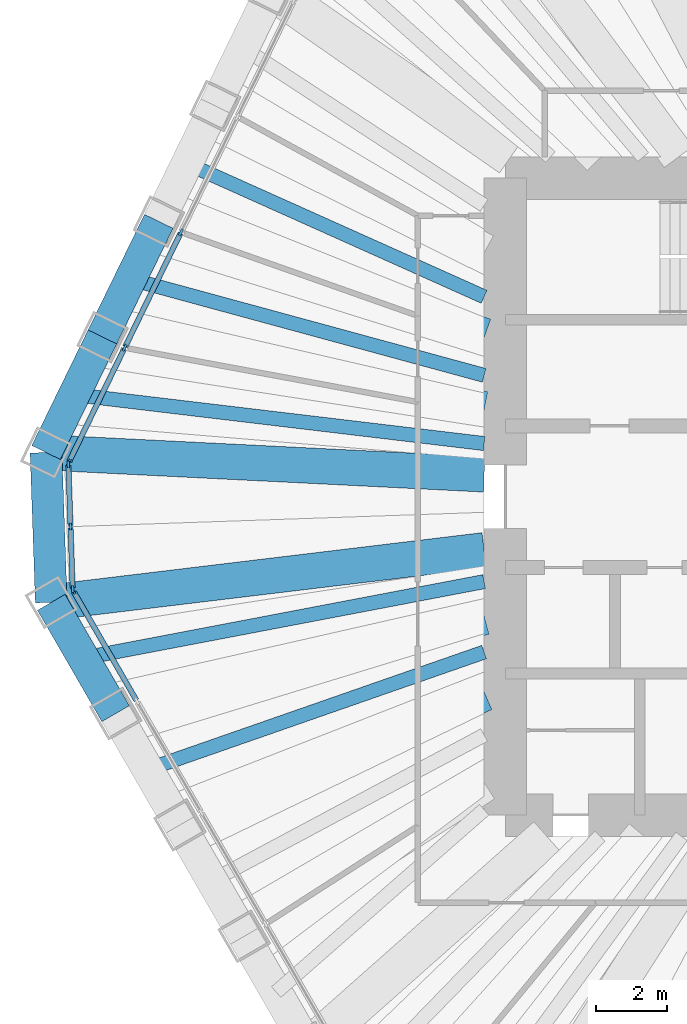
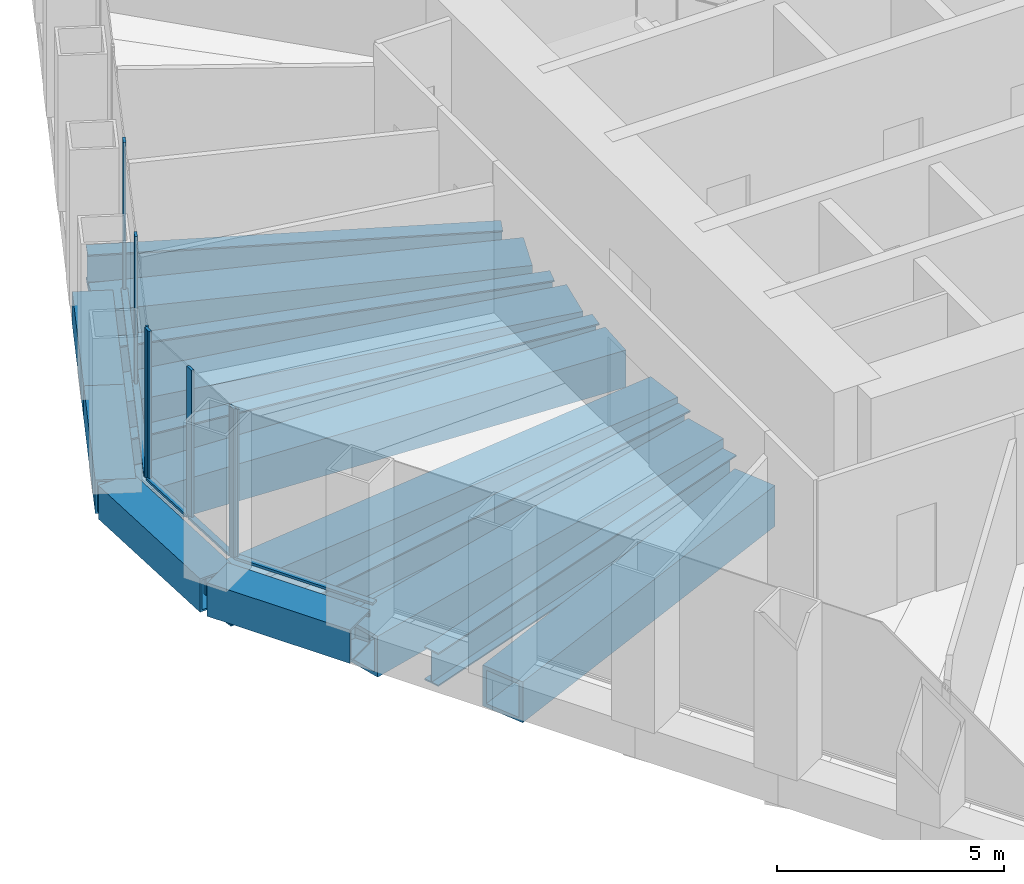
# One storey, part 3 of 12: 15 beams, 12 members, 3 elements without a shape of their own.
"""IFC4 building model written with IfcOpenShell, lengths in metres."""

from ifc_helpers import new_model, si_unit, direction, frame, origin, origin_2d, place, context, subcontext, project, spatial, rectangle, hollow_rectangle, i_section, extrude, material, material_profile, profile_set, type_object, element, aggregate, save


model = new_model("IFC4")

# Units and contexts
model_context = context("Model", 3, precision=1e-05, world=origin(), true_north=direction((0.0, 1.0)))
body_context = subcontext(model_context, "Body", "Model", "MODEL_VIEW")
ifc_project = project(units=[si_unit("LENGTHUNIT", "METRE"), si_unit("AREAUNIT", "SQUARE_METRE"), si_unit("VOLUMEUNIT", "CUBIC_METRE"), si_unit("PLANEANGLEUNIT", "RADIAN"), si_unit("MASSUNIT", "GRAM", prefix="KILO")], contexts=[model_context])

# Site, building, storey
site_placement = place(None, origin())
site = spatial("IfcSite", under=ifc_project, at=site_placement, CompositionType="ELEMENT")
building_placement = place(site_placement, origin())
building = spatial("IfcBuilding", under=site, at=building_placement, Name="Qingtian Harvest Tower", CompositionType="ELEMENT")
storey_placement = place(building_placement, frame((0.0, 0.0, 184.60009765625)))
storey = spatial("IfcBuildingStorey", under=building, at=storey_placement, Name="L39", CompositionType="ELEMENT", Elevation=184.60009765625)

# Beams
ifc_material_1 = material(Name="Steel SN490B", Category="steel")
ifc_material_profile_1 = material_profile(ifc_material_1, i_section(OverallWidth=0.39990234375, OverallDepth=0.89990234375, WebThickness=0.01904296875, FlangeThickness=0.035888671875, at=origin_2d()), Name="H900x400x19x36")
ifc_profile_set_1 = profile_set([ifc_material_profile_1], Name="Steel SN490B")
beam_type_1 = type_object("IfcBeamType", Name="Floor joist J4 H900x400x19x36", PredefinedType="JOIST", material=ifc_profile_set_1)
beam_1_placement = place(storey_placement, frame((-22.108154296875, -7.707763671875, -0.6201171875), z_axis=(0.944256456951, 0.329210788868, 0.0), x_axis=(-0.329210788868, 0.944256456951, 0.0)))
element("IfcBeam", 1, at=beam_1_placement, inside=storey, type_object=beam_type_1, Name="Floor joist J4 SW4", PredefinedType="JOIST", context=body_context, shape_type="SweptSolid", body=[
    extrude(i_section(OverallWidth=0.39990234375, OverallDepth=0.89990234375, WebThickness=0.01904296875, FlangeThickness=0.035888671875, at=origin_2d()), origin(), (0.0, 0.0, 1.0), 10.0693359375),
])
beam_2_placement = place(storey_placement, frame((-23.9248046875, -4.56103515625, -0.6201171875), z_axis=(0.982309082743, 0.187266830912, 0.0), x_axis=(-0.187266830912, 0.982309082743, 0.0)))
element("IfcBeam", 2, at=beam_2_placement, inside=storey, type_object=beam_type_1, Name="Floor joist J4 SW5", PredefinedType="JOIST", context=body_context, shape_type="SweptSolid", body=[
    extrude(i_section(OverallWidth=0.39990234375, OverallDepth=0.89990234375, WebThickness=0.01904296875, FlangeThickness=0.035888671875, at=origin_2d()), origin(), (0.0, 0.0, 1.0), 11.528564453125),
])
beam_3_placement = place(storey_placement, frame((-24.184814453125, 2.880859375, -0.6201171875), z_axis=(0.992980727423, -0.11827626544, 0.0), x_axis=(0.11827626544, 0.992980727423, 0.0)))
element("IfcBeam", 3, at=beam_3_placement, inside=storey, type_object=beam_type_1, Name="Floor joist J4 NW0", PredefinedType="JOIST", context=body_context, shape_type="SweptSolid", body=[
    extrude(i_section(OverallWidth=0.39990234375, OverallDepth=0.89990234375, WebThickness=0.01904296875, FlangeThickness=0.035888671875, at=origin_2d()), origin(), (0.0, 0.0, 1.0), 11.66650390625),
])
beam_4_placement = place(storey_placement, frame((-22.591796875, 6.146728515625, -0.6201171875), z_axis=(0.964923062728, -0.26253282274, 0.0), x_axis=(0.26253282274, 0.964923062728, 0.0)))
element("IfcBeam", 4, at=beam_4_placement, inside=storey, type_object=beam_type_1, Name="Floor joist J4 NW1", PredefinedType="JOIST", context=body_context, shape_type="SweptSolid", body=[
    extrude(i_section(OverallWidth=0.39990234375, OverallDepth=0.89990234375, WebThickness=0.01904296875, FlangeThickness=0.035888671875, at=origin_2d()), origin(), (0.0, 0.0, 1.0), 10.35498046875),
])
beam_5_placement = place(storey_placement, frame((-20.9990234375, 9.41259765625, -0.6201171875), z_axis=(0.912515128421, -0.409042956671, 0.0), x_axis=(0.409042956671, 0.912515128421, 0.0)))
element("IfcBeam", 5, at=beam_5_placement, inside=storey, type_object=beam_type_1, Name="Floor joist J4 NW2", PredefinedType="JOIST", context=body_context, shape_type="SweptSolid", body=[
    extrude(i_section(OverallWidth=0.39990234375, OverallDepth=0.89990234375, WebThickness=0.01904296875, FlangeThickness=0.035888671875, at=origin_2d()), origin(), (0.0, 0.0, 1.0), 9.2041015625),
])

# Curtain wall, member
ifc_material_2 = material(Name="Bronze-anodised aluminium curtain wall", Category="aluminium")
curtain_wall_type = type_object("IfcCurtainWallType", Name="Curtain wall CW4 office", PredefinedType="USERDEFINED", material=ifc_material_2)
curtain_wall_1_placement = place(storey_placement, origin())
curtain_wall_1 = element("IfcCurtainWall", 6, at=curtain_wall_1_placement, inside=storey, type_object=curtain_wall_type, Name="Curtain wall CW4 L39 SW0-5", ObjectType="RECESSED CURTAIN WALL", PredefinedType="USERDEFINED")
ifc_material_3 = material(Name="Bronze-anodised aluminium mullion", Category="aluminium")
ifc_material_profile_2 = material_profile(ifc_material_3, rectangle(XDim=0.06494140625, YDim=0.199951171875, at=origin_2d()), Name="AL 65x200")
ifc_profile_set_2 = profile_set([ifc_material_profile_2], Name="Bronze-anodised aluminium mullion")
member_type_1 = type_object("IfcMemberType", Name="Mullion CWM 65x200", PredefinedType="MULLION", material=ifc_profile_set_2)
member_1_placement = place(storey_placement, frame((-24.210693359375, -2.665771484375, 0.0), z_axis=(0.0, 0.0, 1.0), x_axis=(-0.866025403784, -0.5, 0.0)))
member_1 = element("IfcMember", 7, at=member_1_placement, type_object=member_type_1, Name="CW4 mullion 7", PredefinedType="MULLION", context=body_context, shape_type="SweptSolid", body=[
    extrude(rectangle(XDim=0.06494140625, YDim=0.199951171875, at=origin_2d()), origin(), (0.0, 0.0, 1.0), 4.02978515625),
])

# Curtain wall, members
curtain_wall_2_placement = place(storey_placement, origin())
curtain_wall_2 = element("IfcCurtainWall", 8, at=curtain_wall_2_placement, inside=storey, type_object=curtain_wall_type, Name="Curtain wall CW4 L39 SWC", ObjectType="RECESSED CURTAIN WALL", PredefinedType="USERDEFINED")
member_2_placement = place(storey_placement, frame((-24.228271484375, -2.60498046875, 0.0), z_axis=(0.0, 0.0, 1.0), x_axis=(-0.999390827019, -0.034899496703, 0.0)))
member_2 = element("IfcMember", 9, at=member_2_placement, type_object=member_type_1, Name="CW4 mullion 1", PredefinedType="MULLION", context=body_context, shape_type="SweptSolid", body=[
    extrude(rectangle(XDim=0.06494140625, YDim=0.199951171875, at=origin_2d()), origin(), (0.0, 0.0, 1.0), 4.02978515625),
])
member_3_placement = place(storey_placement, frame((-24.28955078125, -0.84814453125, 0.0), z_axis=(0.0, 0.0, 1.0), x_axis=(-0.999390827019, -0.034899496703, 0.0)))
member_3 = element("IfcMember", 10, at=member_3_placement, type_object=member_type_1, Name="CW4 mullion 2", PredefinedType="MULLION", context=body_context, shape_type="SweptSolid", body=[
    extrude(rectangle(XDim=0.06494140625, YDim=0.199951171875, at=origin_2d()), origin(), (0.0, 0.0, 1.0), 4.02978515625),
])
member_4_placement = place(storey_placement, frame((-24.350830078125, 0.90869140625, 0.0), z_axis=(0.0, 0.0, 1.0), x_axis=(-0.999390827019, -0.034899496703, 0.0)))
member_4 = element("IfcMember", 11, at=member_4_placement, type_object=member_type_1, Name="CW4 mullion 3", PredefinedType="MULLION", context=body_context, shape_type="SweptSolid", body=[
    extrude(rectangle(XDim=0.06494140625, YDim=0.199951171875, at=origin_2d()), origin(), (0.0, 0.0, 1.0), 4.02978515625),
])

curtain_wall_3_placement = place(storey_placement, origin())
curtain_wall_3 = element("IfcCurtainWall", 12, at=curtain_wall_3_placement, inside=storey, type_object=curtain_wall_type, Name="Curtain wall CW4 L39 NW0-5", ObjectType="RECESSED CURTAIN WALL", PredefinedType="USERDEFINED")
member_5_placement = place(storey_placement, frame((-24.337646484375, 0.970458984375, 0.0), z_axis=(0.0, 0.0, 1.0), x_axis=(-0.898794046299, 0.438371146789, 0.0)))
member_5 = element("IfcMember", 13, at=member_5_placement, type_object=member_type_1, Name="CW4 mullion 1", PredefinedType="MULLION", context=body_context, shape_type="SweptSolid", body=[
    extrude(rectangle(XDim=0.06494140625, YDim=0.199951171875, at=origin_2d()), origin(), (0.0, 0.0, 1.0), 4.02978515625),
])
member_6_placement = place(storey_placement, frame((-22.759033203125, 4.20703125, 0.0), z_axis=(0.0, 0.0, 1.0), x_axis=(-0.898794046299, 0.438371146789, 0.0)))
member_6 = element("IfcMember", 14, at=member_6_placement, type_object=member_type_1, Name="CW4 mullion 2", PredefinedType="MULLION", context=body_context, shape_type="SweptSolid", body=[
    extrude(rectangle(XDim=0.06494140625, YDim=0.199951171875, at=origin_2d()), origin(), (0.0, 0.0, 1.0), 4.02978515625),
])
member_7_placement = place(storey_placement, frame((-21.166259765625, 7.47265625, 0.0), z_axis=(0.0, 0.0, 1.0), x_axis=(-0.898794046299, 0.438371146789, 0.0)))
member_7 = element("IfcMember", 15, at=member_7_placement, type_object=member_type_1, Name="CW4 mullion 3", PredefinedType="MULLION", context=body_context, shape_type="SweptSolid", body=[
    extrude(rectangle(XDim=0.06494140625, YDim=0.199951171875, at=origin_2d()), origin(), (0.0, 0.0, 1.0), 4.02978515625),
])

# Beams
ifc_material_4 = material(Name="Steel SM570MC", Category="steel")
ifc_material_profile_3 = material_profile(ifc_material_4, hollow_rectangle(XDim=1.0, YDim=1.0, WallThickness=0.080078125, at=origin_2d()), Name="BOX1000x1000x80")
ifc_profile_set_3 = profile_set([ifc_material_profile_3], Name="Steel SM570MC")
beam_type_2 = type_object("IfcBeamType", Name="Transfer corner beam FB11 BOX1000x1000x80", PredefinedType="BEAM", material=ifc_profile_set_3)
beam_6_placement = place(storey_placement, frame((-24.833251953125, -2.987548828125, -0.670166015625), z_axis=(0.992841259631, 0.119441337798, 0.0), x_axis=(-0.119441337798, 0.992841259631, 0.0)))
element("IfcBeam", 16, at=beam_6_placement, inside=storey, type_object=beam_type_2, Name="Floor beam FB11 SW6", PredefinedType="BEAM", context=body_context, shape_type="SweptSolid", body=[
    extrude(hollow_rectangle(XDim=1.0, YDim=1.0, WallThickness=0.080078125, at=origin_2d()), origin(), (0.0, 0.0, 1.0), 12.3212890625),
])
beam_7_placement = place(storey_placement, frame((-24.981201171875, 1.248046875, -0.670166015625), z_axis=(0.998753959075, -0.049905202459, 0.0), x_axis=(0.049905202459, 0.998753959075, 0.0)))
element("IfcBeam", 17, at=beam_7_placement, inside=storey, type_object=beam_type_2, Name="Floor beam FB11 NW0", PredefinedType="BEAM", context=body_context, shape_type="SweptSolid", body=[
    extrude(hollow_rectangle(XDim=1.0, YDim=1.0, WallThickness=0.080078125, at=origin_2d()), origin(), (0.0, 0.0, 1.0), 12.396484375),
])
ifc_material_5 = material(Name="Steel SM570MC", Category="steel")
ifc_material_profile_4 = material_profile(ifc_material_5, hollow_rectangle(XDim=1.10009765625, YDim=1.10009765625, WallThickness=0.10009765625, at=origin_2d()), Name="BOX1100x1100x100")
ifc_profile_set_4 = profile_set([ifc_material_profile_4], Name="Steel SM570MC")
beam_type_3 = type_object("IfcBeamType", Name="Transfer floor beam FB9 BOX1100x1100x100", PredefinedType="BEAM", material=ifc_profile_set_4)
beam_8_placement = place(storey_placement, frame((-21.19970703125, -9.281005859375, -0.72021484375), z_axis=(0.916057031544, 0.401048020765, 0.0), x_axis=(-0.401048020765, 0.916057031544, 0.0)))
element("IfcBeam", 18, at=beam_8_placement, inside=storey, type_object=beam_type_3, Name="Floor beam FB9 SW4", PredefinedType="BEAM", context=body_context, shape_type="SweptSolid", body=[
    extrude(hollow_rectangle(XDim=1.10009765625, YDim=1.10009765625, WallThickness=0.10009765625, at=origin_2d()), origin(), (0.0, 0.0, 1.0), 9.3876953125),
])
beam_9_placement = place(storey_placement, frame((-23.016357421875, -6.13427734375, -0.72021484375), z_axis=(0.966270640629, 0.257528734433, 0.0), x_axis=(-0.257528734433, 0.966270640629, 0.0)))
element("IfcBeam", 19, at=beam_9_placement, inside=storey, type_object=beam_type_3, Name="Floor beam FB9 SW5", PredefinedType="BEAM", context=body_context, shape_type="SweptSolid", body=[
    extrude(hollow_rectangle(XDim=1.10009765625, YDim=1.10009765625, WallThickness=0.10009765625, at=origin_2d()), origin(), (0.0, 0.0, 1.0), 10.77978515625),
])
beam_10_placement = place(storey_placement, frame((-23.388427734375, 4.513916015625, -0.72021484375), z_axis=(0.981878004162, -0.189514075845, 0.0), x_axis=(0.189514075845, 0.981878004162, 0.0)))
element("IfcBeam", 20, at=beam_10_placement, inside=storey, type_object=beam_type_3, Name="Floor beam FB9 NW1", PredefinedType="BEAM", context=body_context, shape_type="SweptSolid", body=[
    extrude(hollow_rectangle(XDim=1.10009765625, YDim=1.10009765625, WallThickness=0.10009765625, at=origin_2d()), origin(), (0.0, 0.0, 1.0), 10.987548828125),
])
beam_11_placement = place(storey_placement, frame((-21.79541015625, 7.779541015625, -0.72021484375), z_axis=(0.941800733255, -0.336171650857, 0.0), x_axis=(0.336171650857, 0.941800733255, 0.0)))
element("IfcBeam", 21, at=beam_11_placement, inside=storey, type_object=beam_type_3, Name="Floor beam FB9 NW2", PredefinedType="BEAM", context=body_context, shape_type="SweptSolid", body=[
    extrude(hollow_rectangle(XDim=1.10009765625, YDim=1.10009765625, WallThickness=0.10009765625, at=origin_2d()), origin(), (0.0, 0.0, 1.0), 9.763427734375),
])
ifc_material_6 = material(Name="Steel SM570MC", Category="steel")
ifc_material_profile_5 = material_profile(ifc_material_6, hollow_rectangle(XDim=0.89990234375, YDim=0.89990234375, WallThickness=0.050048828125, at=origin_2d()), Name="BOX900x900x50")
ifc_profile_set_5 = profile_set([ifc_material_profile_5], Name="Steel SM570MC")
beam_type_4 = type_object("IfcBeamType", Name="Transition spandrel SB6 BOX900x900x50", PredefinedType="SPANDREL", material=ifc_profile_set_5)
beam_12_placement = place(storey_placement, frame((-23.016357421875, -6.13427734375, -0.4501953125), z_axis=(-0.500026827678, 0.866009914263, 0.0), x_axis=(-0.866009914263, -0.500026827678, 0.0)))
element("IfcBeam", 22, at=beam_12_placement, inside=storey, type_object=beam_type_4, Name="Spandrel SB6 SW5", PredefinedType="SPANDREL", context=body_context, shape_type="SweptSolid", body=[
    extrude(hollow_rectangle(XDim=0.89990234375, YDim=0.89990234375, WallThickness=0.050048828125, at=origin_2d()), origin(), (0.0, 0.0, 1.0), 3.633544921875),
])
beam_13_placement = place(storey_placement, frame((-24.833251953125, -2.987548828125, -0.4501953125), z_axis=(-0.034908677553, 0.999390506375, 0.0), x_axis=(-0.999390506375, -0.034908677553, 0.0)))
element("IfcBeam", 23, at=beam_13_placement, inside=storey, type_object=beam_type_4, Name="Spandrel SB6 SWC", PredefinedType="SPANDREL", context=body_context, shape_type="SweptSolid", body=[
    extrude(hollow_rectangle(XDim=0.89990234375, YDim=0.89990234375, WallThickness=0.050048828125, at=origin_2d()), origin(), (0.0, 0.0, 1.0), 4.23828125),
])
for number, where, z_axis, x_axis, name in (
    (24, (-24.981201171875, 1.248046875, -0.4501953125), (0.438349498419, 0.898804604592, 0.0), (-0.898804604592, 0.438349498419, 0.0), "Spandrel SB6 NW0"),
    (25, (-23.388427734375, 4.513916015625, -0.4501953125), (0.438430251153, 0.898765216769, 0.0), (-0.898765216769, 0.438430251153, 0.0), "Spandrel SB6 NW1"),
):
    element("IfcBeam", number, at=place(storey_placement, frame(where, z_axis=z_axis, x_axis=x_axis)), inside=storey, type_object=beam_type_4, Name=name, PredefinedType="SPANDREL", context=body_context, shape_type="SweptSolid", body=[
        extrude(hollow_rectangle(XDim=0.89990234375, YDim=0.89990234375, WallThickness=0.050048828125, at=origin_2d()), origin(), (0.0, 0.0, 1.0), 3.633544921875),
    ])

# Member
ifc_material_7 = material(Name="Bronze-anodised aluminium transom", Category="aluminium")
ifc_material_profile_6 = material_profile(ifc_material_7, rectangle(XDim=0.14990234375, YDim=0.06494140625, at=origin_2d()), Name="AL 65x150")
ifc_profile_set_6 = profile_set([ifc_material_profile_6], Name="Bronze-anodised aluminium transom")
member_type_2 = type_object("IfcMemberType", Name="Transom CWT 65x150", PredefinedType="USERDEFINED", material=ifc_profile_set_6)
member_8_placement = place(storey_placement, frame((-22.426513671875, -5.756103515625, 0.032470703125), z_axis=(-0.500015305566, 0.866016566931, 0.0), x_axis=(-0.866016566931, -0.500015305566, 0.0)))
member_8 = element("IfcMember", 26, at=member_8_placement, type_object=member_type_2, Name="CW4 transom 6.1", ObjectType="TRANSOM", PredefinedType="USERDEFINED", context=body_context, shape_type="SweptSolid", body=[
    extrude(rectangle(XDim=0.14990234375, YDim=0.06494140625, at=origin_2d()), origin(), (0.0, 0.0, 1.0), 3.5361328125),
])

aggregate(curtain_wall_1, [member_1, member_8])

member_9_placement = place(storey_placement, frame((-24.229248046875, -2.572509765625, 0.032470703125), z_axis=(-0.034899362377, 0.99939083171, 0.0), x_axis=(-0.99939083171, -0.034899362377, 0.0)))
member_9 = element("IfcMember", 27, at=member_9_placement, type_object=member_type_2, Name="CW4 transom 1.1", ObjectType="TRANSOM", PredefinedType="USERDEFINED", context=body_context, shape_type="SweptSolid", body=[
    extrude(rectangle(XDim=0.14990234375, YDim=0.06494140625, at=origin_2d()), origin(), (0.0, 0.0, 1.0), 1.69287109375),
])

member_10_placement = place(storey_placement, frame((-24.29052734375, -0.815673828125, 0.032470703125), z_axis=(-0.034899362377, 0.99939083171, 0.0), x_axis=(-0.99939083171, -0.034899362377, 0.0)))
member_10 = element("IfcMember", 28, at=member_10_placement, type_object=member_type_2, Name="CW4 transom 2.1", ObjectType="TRANSOM", PredefinedType="USERDEFINED", context=body_context, shape_type="SweptSolid", body=[
    extrude(rectangle(XDim=0.14990234375, YDim=0.06494140625, at=origin_2d()), origin(), (0.0, 0.0, 1.0), 1.69287109375),
])

aggregate(curtain_wall_2, [member_2, member_3, member_4, member_9, member_10])

member_11_placement = place(storey_placement, frame((-24.323486328125, 0.99951171875, 0.032470703125), z_axis=(0.438354255898, 0.898802284341, 0.0), x_axis=(-0.898802284341, 0.438354255898, 0.0)))
member_11 = element("IfcMember", 29, at=member_11_placement, type_object=member_type_2, Name="CW4 transom 1.1", ObjectType="TRANSOM", PredefinedType="USERDEFINED", context=body_context, shape_type="SweptSolid", body=[
    extrude(rectangle(XDim=0.14990234375, YDim=0.06494140625, at=origin_2d()), origin(), (0.0, 0.0, 1.0), 3.5361328125),
])

member_12_placement = place(storey_placement, frame((-22.744873046875, 4.236083984375, 0.032470703125), z_axis=(0.438325233634, 0.89881643819, 0.0), x_axis=(-0.89881643819, 0.438325233634, 0.0)))
member_12 = element("IfcMember", 30, at=member_12_placement, type_object=member_type_2, Name="CW4 transom 2.1", ObjectType="TRANSOM", PredefinedType="USERDEFINED", context=body_context, shape_type="SweptSolid", body=[
    extrude(rectangle(XDim=0.14990234375, YDim=0.06494140625, at=origin_2d()), origin(), (0.0, 0.0, 1.0), 3.568603515625),
])

aggregate(curtain_wall_3, [member_5, member_6, member_7, member_11, member_12])

save(model, "model.ifc")
